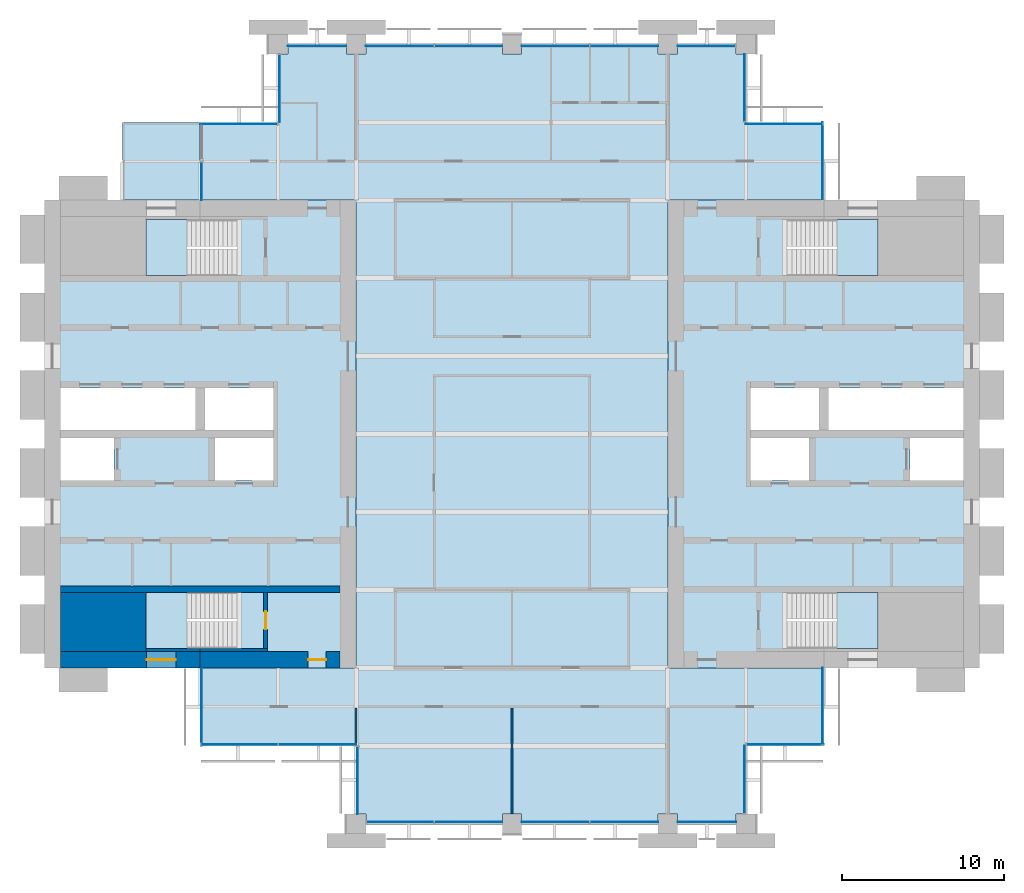
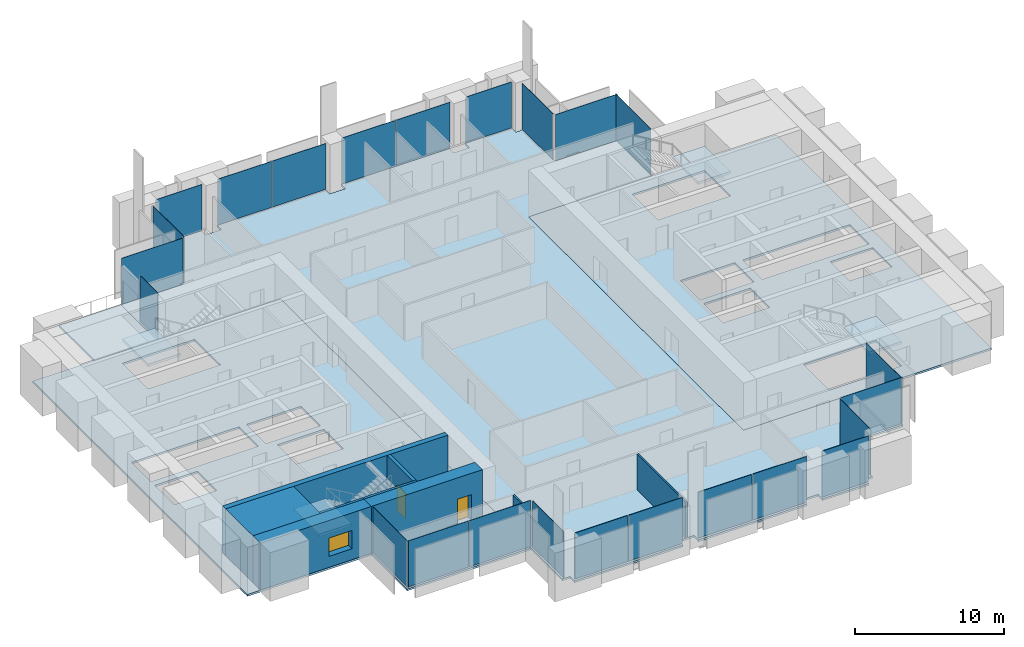
# One storey, part 8 of 14: 24 plates, 9 walls, 8 slabs, 2 doors, 1 window, 3 openings, 18 elements without a shape of their own.
"""IFC4 building model written with IfcOpenShell, lengths in metres."""

from ifc_helpers import new_model, si_unit, direction, frame, frame_2d, origin, origin_2d, place, context, subcontext, project, spatial, polyline, rectangle, outline, extrude, material, layer, layer_set, type_object, element, fill, aggregate, save


model = new_model("IFC4")

# Units and contexts
model_context = context("Model", 3, precision=1e-05, world=origin(), true_north=direction((0.0, 1.0)))
body_context = subcontext(model_context, "Body", "Model", "MODEL_VIEW")
ifc_project = project(units=[si_unit("LENGTHUNIT", "METRE"), si_unit("AREAUNIT", "SQUARE_METRE"), si_unit("VOLUMEUNIT", "CUBIC_METRE"), si_unit("PLANEANGLEUNIT", "RADIAN"), si_unit("MASSUNIT", "GRAM", prefix="KILO")], contexts=[model_context])

# Site, building, storey
site_placement = place(None, origin())
site = spatial("IfcSite", under=ifc_project, at=site_placement, CompositionType="ELEMENT")
building_placement = place(site_placement, origin())
building = spatial("IfcBuilding", under=site, at=building_placement, Name="Baori Bourse Tower", CompositionType="ELEMENT")
storey_placement = place(building_placement, frame((0.0, 0.0, 168.10009765625)))
storey = spatial("IfcBuildingStorey", under=building, at=storey_placement, Name="L37", CompositionType="ELEMENT", Elevation=168.10009765625)

# Curtain wall, plates
ifc_material_1 = material(Name="Pale anodised aluminium", Category="aluminium")
curtain_wall_type_1 = type_object("IfcCurtainWallType", Name="CW1 Curtain wall", PredefinedType="NOTDEFINED", material=ifc_material_1)
curtain_wall_1_placement = place(storey_placement, origin())
curtain_wall_1 = element("IfcCurtainWall", 1, at=curtain_wall_1_placement, inside=storey, type_object=curtain_wall_type_1, Name="Curtain wall CW1 L37 4", PredefinedType="NOTDEFINED")
ifc_material_2 = material(Name="Clear glass", Category="glass")
ifc_layer_1 = layer(ifc_material_2, 0.033935546875)
ifc_layer_set_1 = layer_set([ifc_layer_1], Name="CW1 Curtain wall panel")
plate_type_1 = type_object("IfcPlateType", Name="CW1 Curtain wall panel", PredefinedType="CURTAIN_PANEL", material=ifc_layer_set_1)
plate_1_placement = place(storey_placement, frame((40.77001953125, 47.89990234375, 0.080078125), z_axis=(0.0, 0.0, 1.0), x_axis=(-1.0, 0.0, 0.0)))
plate_1 = element("IfcPlate", 2, at=plate_1_placement, type_object=plate_type_1, Name="Curtain wall CW1 panel", PredefinedType="CURTAIN_PANEL", context=body_context, shape_type="SweptSolid", body=[
    extrude(rectangle(XDim=3.5400390625, YDim=0.033935546875, at=origin_2d()), origin(), (0.0, 0.0, 1.0), 3.760009765625),
])
plate_2_placement = place(storey_placement, frame((35.715087890625, 47.89990234375, 0.080078125), z_axis=(0.0, 0.0, 1.0), x_axis=(-1.0, 0.0, 0.0)))
plate_2 = element("IfcPlate", 3, at=plate_2_placement, type_object=plate_type_1, Name="Curtain wall CW1 panel", PredefinedType="CURTAIN_PANEL", context=body_context, shape_type="SweptSolid", body=[
    extrude(rectangle(XDim=4.169921875, YDim=0.033935546875, at=origin_2d()), origin(), (0.0, 0.0, 1.0), 3.760009765625),
])
plate_3_placement = place(storey_placement, frame((31.485107421875, 47.89990234375, 0.080078125), z_axis=(0.0, 0.0, 1.0), x_axis=(-1.0, 0.0, 0.0)))
plate_3 = element("IfcPlate", 4, at=plate_3_placement, type_object=plate_type_1, Name="Curtain wall CW1 panel", PredefinedType="CURTAIN_PANEL", context=body_context, shape_type="SweptSolid", body=[
    extrude(rectangle(XDim=4.169921875, YDim=0.033935546875, at=origin_2d()), origin(), (0.0, 0.0, 1.0), 3.760009765625),
])
plate_4_placement = place(storey_placement, frame((26.114990234375, 47.89990234375, 0.080078125), z_axis=(0.0, 0.0, 1.0), x_axis=(-1.0, 0.0, 0.0)))
plate_4 = element("IfcPlate", 5, at=plate_4_placement, type_object=plate_type_1, Name="Curtain wall CW1 panel", PredefinedType="CURTAIN_PANEL", context=body_context, shape_type="SweptSolid", body=[
    extrude(rectangle(XDim=4.169921875, YDim=0.033935546875, at=origin_2d()), origin(), (0.0, 0.0, 1.0), 3.760009765625),
])
plate_5_placement = place(storey_placement, frame((21.885009765625, 47.89990234375, 0.080078125), z_axis=(0.0, 0.0, 1.0), x_axis=(-1.0, 0.0, 0.0)))
plate_5 = element("IfcPlate", 6, at=plate_5_placement, type_object=plate_type_1, Name="Curtain wall CW1 panel", PredefinedType="CURTAIN_PANEL", context=body_context, shape_type="SweptSolid", body=[
    extrude(rectangle(XDim=4.169921875, YDim=0.033935546875, at=origin_2d()), origin(), (0.0, 0.0, 1.0), 3.760009765625),
])
plate_6_placement = place(storey_placement, frame((16.800048828125, 47.89990234375, 0.080078125), z_axis=(0.0, 0.0, 1.0), x_axis=(-1.0, 0.0, 0.0)))
plate_6 = element("IfcPlate", 7, at=plate_6_placement, type_object=plate_type_1, Name="Curtain wall CW1 panel", PredefinedType="CURTAIN_PANEL", context=body_context, shape_type="SweptSolid", body=[
    extrude(rectangle(XDim=3.60009765625, YDim=0.033935546875, at=origin_2d()), origin(), (0.0, 0.0, 1.0), 3.760009765625),
])
aggregate(curtain_wall_1, [plate_1, plate_2, plate_3, plate_4, plate_5, plate_6])

curtain_wall_2_placement = place(storey_placement, origin())
curtain_wall_2 = element("IfcCurtainWall", 8, at=curtain_wall_2_placement, inside=storey, type_object=curtain_wall_type_1, Name="Curtain wall CW1 L37 11", PredefinedType="NOTDEFINED")
plate_7_placement = place(storey_placement, frame((21.9150390625, 0.10009765625, 0.080078125), z_axis=(0.0, 0.0, 1.0), x_axis=(1.0, 0.0, 0.0)))
plate_7 = element("IfcPlate", 9, at=plate_7_placement, type_object=plate_type_1, Name="Curtain wall CW1 panel", PredefinedType="CURTAIN_PANEL", context=body_context, shape_type="SweptSolid", body=[
    extrude(rectangle(XDim=4.110107421875, YDim=0.033935546875, at=origin_2d()), origin(), (0.0, 0.0, 1.0), 3.760009765625),
])
plate_8_placement = place(storey_placement, frame((26.114990234375, 0.10009765625, 0.080078125), z_axis=(0.0, 0.0, 1.0), x_axis=(1.0, 0.0, 0.0)))
plate_8 = element("IfcPlate", 10, at=plate_8_placement, type_object=plate_type_1, Name="Curtain wall CW1 panel", PredefinedType="CURTAIN_PANEL", context=body_context, shape_type="SweptSolid", body=[
    extrude(rectangle(XDim=4.169921875, YDim=0.033935546875, at=origin_2d()), origin(), (0.0, 0.0, 1.0), 3.760009765625),
])
plate_9_placement = place(storey_placement, frame((31.485107421875, 0.10009765625, 0.080078125), z_axis=(0.0, 0.0, 1.0), x_axis=(1.0, 0.0, 0.0)))
plate_9 = element("IfcPlate", 11, at=plate_9_placement, type_object=plate_type_1, Name="Curtain wall CW1 panel", PredefinedType="CURTAIN_PANEL", context=body_context, shape_type="SweptSolid", body=[
    extrude(rectangle(XDim=4.169921875, YDim=0.033935546875, at=origin_2d()), origin(), (0.0, 0.0, 1.0), 3.760009765625),
])
plate_10_placement = place(storey_placement, frame((35.715087890625, 0.10009765625, 0.080078125), z_axis=(0.0, 0.0, 1.0), x_axis=(1.0, 0.0, 0.0)))
plate_10 = element("IfcPlate", 12, at=plate_10_placement, type_object=plate_type_1, Name="Curtain wall CW1 panel", PredefinedType="CURTAIN_PANEL", context=body_context, shape_type="SweptSolid", body=[
    extrude(rectangle(XDim=4.169921875, YDim=0.033935546875, at=origin_2d()), origin(), (0.0, 0.0, 1.0), 3.760009765625),
])
plate_11_placement = place(storey_placement, frame((40.800048828125, 0.10009765625, 0.080078125), z_axis=(0.0, 0.0, 1.0), x_axis=(1.0, 0.0, 0.0)))
plate_11 = element("IfcPlate", 13, at=plate_11_placement, type_object=plate_type_1, Name="Curtain wall CW1 panel", PredefinedType="CURTAIN_PANEL", context=body_context, shape_type="SweptSolid", body=[
    extrude(rectangle(XDim=3.60009765625, YDim=0.033935546875, at=origin_2d()), origin(), (0.0, 0.0, 1.0), 3.760009765625),
])
aggregate(curtain_wall_2, [plate_7, plate_8, plate_9, plate_10, plate_11])

# Curtain wall, plate
ifc_material_3 = material(Name="Pale anodised aluminium", Category="aluminium")
curtain_wall_type_2 = type_object("IfcCurtainWallType", Name="CW2 Curtain wall", PredefinedType="NOTDEFINED", material=ifc_material_3)
curtain_wall_3_placement = place(storey_placement, origin())
curtain_wall_3 = element("IfcCurtainWall", 14, at=curtain_wall_3_placement, inside=storey, type_object=curtain_wall_type_2, Name="Curtain wall CW2 L37 1", PredefinedType="NOTDEFINED")
ifc_material_4 = material(Name="Clear glass", Category="glass")
ifc_layer_2 = layer(ifc_material_4, 0.030029296875)
ifc_layer_set_2 = layer_set([ifc_layer_2], Name="CW2 Curtain wall panel")
plate_type_2 = type_object("IfcPlateType", Name="CW2 Curtain wall panel", PredefinedType="CURTAIN_PANEL", material=ifc_layer_set_2)
plate_12_placement = place(storey_placement, frame((47.909912109375, 40.827392578125, 0.06982421875), z_axis=(0.0, 0.0, 1.0), x_axis=(0.0, 1.0, 0.0)))
plate_12 = element("IfcPlate", 15, at=plate_12_placement, type_object=plate_type_2, Name="Curtain wall CW2 panel", PredefinedType="CURTAIN_PANEL", context=body_context, shape_type="SweptSolid", body=[
    extrude(rectangle(XDim=4.7451171875, YDim=0.030029296875, at=origin_2d()), origin(), (0.0, 0.0, 1.0), 3.77001953125),
])
aggregate(curtain_wall_3, [plate_12])

curtain_wall_4_placement = place(storey_placement, origin())
curtain_wall_4 = element("IfcCurtainWall", 16, at=curtain_wall_4_placement, inside=storey, type_object=curtain_wall_type_2, Name="Curtain wall CW2 L37 2", PredefinedType="NOTDEFINED")
plate_13_placement = place(storey_placement, frame((45.572509765625, 43.110107421875, 0.06982421875), z_axis=(0.0, 0.0, 1.0), x_axis=(-1.0, 0.0, 0.0)))
plate_13 = element("IfcPlate", 17, at=plate_13_placement, type_object=plate_type_2, Name="Curtain wall CW2 panel", PredefinedType="CURTAIN_PANEL", context=body_context, shape_type="SweptSolid", body=[
    extrude(rectangle(XDim=4.7451171875, YDim=0.030029296875, at=origin_2d()), origin(), (0.0, 0.0, 1.0), 3.77001953125),
])
aggregate(curtain_wall_4, [plate_13])

curtain_wall_5_placement = place(storey_placement, origin())
curtain_wall_5 = element("IfcCurtainWall", 18, at=curtain_wall_5_placement, inside=storey, type_object=curtain_wall_type_2, Name="Curtain wall CW2 L37 3", PredefinedType="NOTDEFINED")
plate_14_placement = place(storey_placement, frame((43.110107421875, 45.327392578125, 0.06982421875), z_axis=(0.0, 0.0, 1.0), x_axis=(0.0, 1.0, 0.0)))
plate_14 = element("IfcPlate", 19, at=plate_14_placement, type_object=plate_type_2, Name="Curtain wall CW2 panel", PredefinedType="CURTAIN_PANEL", context=body_context, shape_type="SweptSolid", body=[
    extrude(rectangle(XDim=4.14501953125, YDim=0.030029296875, at=origin_2d()), origin(), (0.0, 0.0, 1.0), 3.77001953125),
])
aggregate(curtain_wall_5, [plate_14])

curtain_wall_6_placement = place(storey_placement, origin())
curtain_wall_6 = element("IfcCurtainWall", 20, at=curtain_wall_6_placement, inside=storey, type_object=curtain_wall_type_2, Name="Curtain wall CW2 L37 5", PredefinedType="NOTDEFINED")
plate_15_placement = place(storey_placement, frame((14.489990234375, 45.2724609375, 0.06982421875), z_axis=(0.0, 0.0, 1.0), x_axis=(0.0, -1.0, 0.0)))
plate_15 = element("IfcPlate", 21, at=plate_15_placement, type_object=plate_type_2, Name="Curtain wall CW2 panel", PredefinedType="CURTAIN_PANEL", context=body_context, shape_type="SweptSolid", body=[
    extrude(rectangle(XDim=4.14501953125, YDim=0.030029296875, at=origin_2d()), origin(), (0.0, 0.0, 1.0), 3.77001953125),
])
aggregate(curtain_wall_6, [plate_15])

curtain_wall_7_placement = place(storey_placement, origin())
curtain_wall_7 = element("IfcCurtainWall", 22, at=curtain_wall_7_placement, inside=storey, type_object=curtain_wall_type_2, Name="Curtain wall CW2 L37 6", PredefinedType="NOTDEFINED")
plate_16_placement = place(storey_placement, frame((11.972412109375, 43.110107421875, 0.06982421875), z_axis=(0.0, 0.0, 1.0), x_axis=(-1.0, 0.0, 0.0)))
plate_16 = element("IfcPlate", 23, at=plate_16_placement, type_object=plate_type_2, Name="Curtain wall CW2 panel", PredefinedType="CURTAIN_PANEL", context=body_context, shape_type="SweptSolid", body=[
    extrude(rectangle(XDim=4.7451171875, YDim=0.030029296875, at=origin_2d()), origin(), (0.0, 0.0, 1.0), 3.77001953125),
])
aggregate(curtain_wall_7, [plate_16])

curtain_wall_8_placement = place(storey_placement, origin())
curtain_wall_8 = element("IfcCurtainWall", 24, at=curtain_wall_8_placement, inside=storey, type_object=curtain_wall_type_2, Name="Curtain wall CW2 L37 7", PredefinedType="NOTDEFINED")
plate_17_placement = place(storey_placement, frame((9.68994140625, 39.572509765625, 0.06982421875), z_axis=(0.0, 0.0, 1.0), x_axis=(0.0, -1.0, 0.0)))
plate_17 = element("IfcPlate", 25, at=plate_17_placement, type_object=plate_type_2, Name="Curtain wall CW2 panel", PredefinedType="CURTAIN_PANEL", context=body_context, shape_type="SweptSolid", body=[
    extrude(rectangle(XDim=2.344970703125, YDim=0.030029296875, at=origin_2d()), origin(), (0.0, 0.0, 1.0), 3.77001953125),
])
aggregate(curtain_wall_8, [plate_17])

curtain_wall_9_placement = place(storey_placement, origin())
curtain_wall_9 = element("IfcCurtainWall", 26, at=curtain_wall_9_placement, inside=storey, type_object=curtain_wall_type_2, Name="Curtain wall CW2 L37 8", PredefinedType="NOTDEFINED")
plate_18_placement = place(storey_placement, frame((9.68994140625, 7.172607421875, 0.06982421875), z_axis=(0.0, 0.0, 1.0), x_axis=(0.0, -1.0, 0.0)))
plate_18 = element("IfcPlate", 27, at=plate_18_placement, type_object=plate_type_2, Name="Curtain wall CW2 panel", PredefinedType="CURTAIN_PANEL", context=body_context, shape_type="SweptSolid", body=[
    extrude(rectangle(XDim=4.7451171875, YDim=0.030029296875, at=origin_2d()), origin(), (0.0, 0.0, 1.0), 3.77001953125),
])
aggregate(curtain_wall_9, [plate_18])

# Curtain wall, plates
curtain_wall_10_placement = place(storey_placement, origin())
curtain_wall_10 = element("IfcCurtainWall", 28, at=curtain_wall_10_placement, inside=storey, type_object=curtain_wall_type_2, Name="Curtain wall CW2 L37 9", PredefinedType="NOTDEFINED")
plate_19_placement = place(storey_placement, frame((12.013671875, 4.889892578125, 0.06982421875), z_axis=(0.0, 0.0, 1.0), x_axis=(1.0, 0.0, 0.0)))
plate_19 = element("IfcPlate", 29, at=plate_19_placement, type_object=plate_type_2, Name="Curtain wall CW2 panel", PredefinedType="CURTAIN_PANEL", context=body_context, shape_type="SweptSolid", body=[
    extrude(rectangle(XDim=4.717529296875, YDim=0.030029296875, at=origin_2d()), origin(), (0.0, 0.0, 1.0), 3.77001953125),
])
plate_20_placement = place(storey_placement, frame((16.813720703125, 4.889892578125, 0.06982421875), z_axis=(0.0, 0.0, 1.0), x_axis=(1.0, 0.0, 0.0)))
plate_20 = element("IfcPlate", 30, at=plate_20_placement, type_object=plate_type_2, Name="Curtain wall CW2 panel", PredefinedType="CURTAIN_PANEL", context=body_context, shape_type="SweptSolid", body=[
    extrude(rectangle(XDim=4.7724609375, YDim=0.030029296875, at=origin_2d()), origin(), (0.0, 0.0, 1.0), 3.77001953125),
])
aggregate(curtain_wall_10, [plate_19, plate_20])

# Curtain wall, plate
curtain_wall_11_placement = place(storey_placement, origin())
curtain_wall_11 = element("IfcCurtainWall", 31, at=curtain_wall_11_placement, inside=storey, type_object=curtain_wall_type_2, Name="Curtain wall CW2 L37 10", PredefinedType="NOTDEFINED")
plate_21_placement = place(storey_placement, frame((19.2900390625, 2.672607421875, 0.06982421875), z_axis=(0.0, 0.0, 1.0), x_axis=(0.0, -1.0, 0.0)))
plate_21 = element("IfcPlate", 32, at=plate_21_placement, type_object=plate_type_2, Name="Curtain wall CW2 panel", PredefinedType="CURTAIN_PANEL", context=body_context, shape_type="SweptSolid", body=[
    extrude(rectangle(XDim=4.14501953125, YDim=0.030029296875, at=origin_2d()), origin(), (0.0, 0.0, 1.0), 3.77001953125),
])
aggregate(curtain_wall_11, [plate_21])

curtain_wall_12_placement = place(storey_placement, origin())
curtain_wall_12 = element("IfcCurtainWall", 33, at=curtain_wall_12_placement, inside=storey, type_object=curtain_wall_type_2, Name="Curtain wall CW2 L37 12", PredefinedType="NOTDEFINED")
plate_22_placement = place(storey_placement, frame((43.110107421875, 2.7275390625, 0.06982421875), z_axis=(0.0, 0.0, 1.0), x_axis=(0.0, 1.0, 0.0)))
plate_22 = element("IfcPlate", 34, at=plate_22_placement, type_object=plate_type_2, Name="Curtain wall CW2 panel", PredefinedType="CURTAIN_PANEL", context=body_context, shape_type="SweptSolid", body=[
    extrude(rectangle(XDim=4.14501953125, YDim=0.030029296875, at=origin_2d()), origin(), (0.0, 0.0, 1.0), 3.77001953125),
])
aggregate(curtain_wall_12, [plate_22])

curtain_wall_13_placement = place(storey_placement, origin())
curtain_wall_13 = element("IfcCurtainWall", 35, at=curtain_wall_13_placement, inside=storey, type_object=curtain_wall_type_2, Name="Curtain wall CW2 L37 13", PredefinedType="NOTDEFINED")
plate_23_placement = place(storey_placement, frame((45.62744140625, 4.889892578125, 0.06982421875), z_axis=(0.0, 0.0, 1.0), x_axis=(1.0, 0.0, 0.0)))
plate_23 = element("IfcPlate", 36, at=plate_23_placement, type_object=plate_type_2, Name="Curtain wall CW2 panel", PredefinedType="CURTAIN_PANEL", context=body_context, shape_type="SweptSolid", body=[
    extrude(rectangle(XDim=4.7451171875, YDim=0.030029296875, at=origin_2d()), origin(), (0.0, 0.0, 1.0), 3.77001953125),
])
aggregate(curtain_wall_13, [plate_23])

curtain_wall_14_placement = place(storey_placement, origin())
curtain_wall_14 = element("IfcCurtainWall", 37, at=curtain_wall_14_placement, inside=storey, type_object=curtain_wall_type_2, Name="Curtain wall CW2 L37 14", PredefinedType="NOTDEFINED")
plate_24_placement = place(storey_placement, frame((47.909912109375, 7.2275390625, 0.06982421875), z_axis=(0.0, 0.0, 1.0), x_axis=(0.0, 1.0, 0.0)))
plate_24 = element("IfcPlate", 38, at=plate_24_placement, type_object=plate_type_2, Name="Curtain wall CW2 panel", PredefinedType="CURTAIN_PANEL", context=body_context, shape_type="SweptSolid", body=[
    extrude(rectangle(XDim=4.7451171875, YDim=0.030029296875, at=origin_2d()), origin(), (0.0, 0.0, 1.0), 3.77001953125),
])
aggregate(curtain_wall_14, [plate_24])

# Slabs
ifc_material_5 = material(Name="Concrete f'c 50 MPa", Category="concrete")
ifc_layer_3 = layer(ifc_material_5, 0.159912109375)
ifc_layer_set_3 = layer_set([ifc_layer_3], Name="Core slab 160")
slab_type_1 = type_object("IfcSlabType", Name="Core slab 160", PredefinedType="FLOOR", material=ifc_layer_set_3)
slab_1_placement = place(storey_placement, frame((0.0, 0.0, -0.16015625)))
element("IfcSlab", 39, at=slab_1_placement, inside=storey, type_object=slab_type_1, Name="Core floor slab W01", PredefinedType="FLOOR", context=body_context, shape_type="SweptSolid", body=[
    extrude(outline(polyline([(0.0, 38.39990234375), (0.0, 9.60009765625), (19.199951171875, 9.60009765625), (19.199951171875, 38.39990234375), (0.0, 38.39990234375)]), holes=[polyline([(10.5, 21.14990234375), (10.5, 23.75), (14.10009765625, 23.75), (14.10009765625, 21.14990234375), (10.5, 21.14990234375)]), polyline([(14.10009765625, 24.25), (9.89990234375, 24.25), (9.89990234375, 26.85009765625), (14.10009765625, 26.85009765625), (14.10009765625, 24.25)]), polyline([(6.25, 14.25), (11.84912109375, 14.25), (11.84912109375, 10.800048828125), (6.25, 10.800048828125), (6.25, 14.25)]), polyline([(11.84912109375, 37.199951171875), (11.84912109375, 33.75), (6.25, 33.75), (6.25, 37.199951171875), (11.84912109375, 37.199951171875)]), polyline([(1.0, 26.85009765625), (9.300048828125, 26.85009765625), (9.300048828125, 24.25), (1.0, 24.25), (1.0, 26.85009765625)]), polyline([(4.300048828125, 23.75), (4.300048828125, 21.14990234375), (1.0, 21.14990234375), (1.0, 23.75), (4.300048828125, 23.75)])]), origin(), (0.0, 0.0, 1.0), 0.16015625),
])
slab_2_placement = place(storey_placement, frame((0.0, 0.0, -0.16015625)))
element("IfcSlab", 40, at=slab_2_placement, inside=storey, type_object=slab_type_1, Name="Core floor slab E01", PredefinedType="FLOOR", context=body_context, shape_type="SweptSolid", body=[
    extrude(outline(polyline([(57.60009765625, 38.39990234375), (38.39990234375, 38.39990234375), (38.39990234375, 9.60009765625), (57.60009765625, 9.60009765625), (57.60009765625, 38.39990234375)]), holes=[polyline([(56.60009765625, 21.14990234375), (53.300048828125, 21.14990234375), (53.300048828125, 23.75), (56.60009765625, 23.75), (56.60009765625, 21.14990234375)]), polyline([(56.60009765625, 26.85009765625), (56.60009765625, 24.25), (48.300048828125, 24.25), (48.300048828125, 26.85009765625), (56.60009765625, 26.85009765625)]), polyline([(45.750732421875, 14.25), (51.35009765625, 14.25), (51.35009765625, 10.800048828125), (45.750732421875, 10.800048828125), (45.750732421875, 14.25)]), polyline([(51.35009765625, 37.199951171875), (51.35009765625, 33.75), (45.750732421875, 33.75), (45.750732421875, 37.199951171875), (51.35009765625, 37.199951171875)]), polyline([(43.5, 24.25), (43.5, 26.85009765625), (47.699951171875, 26.85009765625), (47.699951171875, 24.25), (43.5, 24.25)]), polyline([(43.5, 23.75), (47.10009765625, 23.75), (47.10009765625, 21.14990234375), (43.5, 21.14990234375), (43.5, 23.75)])]), origin(), (0.0, 0.0, 1.0), 0.16015625),
])

# Stair, slab
ifc_material_6 = material(Name="Concrete f'c 50 MPa", Category="concrete")
stair_type = type_object("IfcStairType", Name="Core stair", PredefinedType="HALF_TURN_STAIR", material=ifc_material_6)
stair_1_placement = place(storey_placement, origin())
stair_1 = element("IfcStair", 41, at=stair_1_placement, inside=storey, type_object=stair_type, Name="L37 Stair WA", PredefinedType="HALF_TURN_STAIR")
ifc_material_7 = material(Name="Concrete f'c 50 MPa", Category="concrete")
slab_type_2 = type_object("IfcSlabType", Name="Core stair landing", PredefinedType="LANDING", material=ifc_material_7)
slab_3_placement = place(storey_placement, frame((0.0, 0.0, 1.7998046875)))
slab_3 = element("IfcSlab", 42, at=slab_3_placement, type_object=slab_type_2, Name="ST1 landing 1", PredefinedType="LANDING", context=body_context, shape_type="SweptSolid", body=[
    extrude(outline(polyline([(8.77001953125, 14.25), (6.25, 14.25), (6.25, 10.800048828125), (8.77001953125, 10.800048828125), (8.77001953125, 14.25)])), origin(), (0.0, 0.0, 1.0), 0.2001953125),
])
aggregate(stair_1, [slab_3])

stair_2_placement = place(storey_placement, origin())
stair_2 = element("IfcStair", 43, at=stair_2_placement, inside=storey, type_object=stair_type, Name="L37 Stair WB", PredefinedType="HALF_TURN_STAIR")
slab_4_placement = place(storey_placement, frame((0.0, 0.0, 1.7998046875)))
slab_4 = element("IfcSlab", 44, at=slab_4_placement, type_object=slab_type_2, Name="ST2 landing 1", PredefinedType="LANDING", context=body_context, shape_type="SweptSolid", body=[
    extrude(outline(polyline([(8.77001953125, 37.199951171875), (6.25, 37.199951171875), (6.25, 33.75), (8.77001953125, 33.75), (8.77001953125, 37.199951171875)])), origin(), (0.0, 0.0, 1.0), 0.2001953125),
])
aggregate(stair_2, [slab_4])

stair_3_placement = place(storey_placement, origin())
stair_3 = element("IfcStair", 45, at=stair_3_placement, inside=storey, type_object=stair_type, Name="L37 Stair EA", PredefinedType="HALF_TURN_STAIR")
slab_5_placement = place(storey_placement, frame((0.0, 0.0, 1.7998046875)))
slab_5 = element("IfcSlab", 46, at=slab_5_placement, type_object=slab_type_2, Name="ST3 landing 1", PredefinedType="LANDING", context=body_context, shape_type="SweptSolid", body=[
    extrude(outline(polyline([(48.830078125, 10.800048828125), (51.35009765625, 10.800048828125), (51.35009765625, 14.25), (48.830078125, 14.25), (48.830078125, 10.800048828125)])), origin(), (0.0, 0.0, 1.0), 0.2001953125),
])
aggregate(stair_3, [slab_5])

stair_4_placement = place(storey_placement, origin())
stair_4 = element("IfcStair", 47, at=stair_4_placement, inside=storey, type_object=stair_type, Name="L37 Stair EB", PredefinedType="HALF_TURN_STAIR")
slab_6_placement = place(storey_placement, frame((0.0, 0.0, 1.7998046875)))
slab_6 = element("IfcSlab", 48, at=slab_6_placement, type_object=slab_type_2, Name="ST4 landing 1", PredefinedType="LANDING", context=body_context, shape_type="SweptSolid", body=[
    extrude(outline(polyline([(48.830078125, 33.75), (51.35009765625, 33.75), (51.35009765625, 37.199951171875), (48.830078125, 37.199951171875), (48.830078125, 33.75)])), origin(), (0.0, 0.0, 1.0), 0.2001953125),
])
aggregate(stair_4, [slab_6])

# Slabs
ifc_material_8 = material(Name="Concrete f'c 40 MPa", Category="concrete")
ifc_layer_4 = layer(ifc_material_8, 0.159912109375)
ifc_layer_set_4 = layer_set([ifc_layer_4], Name="Floor slab 160")
slab_type_3 = type_object("IfcSlabType", Name="Floor slab 160", PredefinedType="FLOOR", material=ifc_layer_set_4)
slab_7_placement = place(storey_placement, frame((0.0, 0.0, -0.16015625)))
element("IfcSlab", 49, at=slab_7_placement, inside=storey, type_object=slab_type_3, Name="Floor slab L37", PredefinedType="FLOOR", context=body_context, shape_type="SweptSolid", body=[
    extrude(outline(polyline([(19.199951171875, 4.800048828125), (9.60009765625, 4.800048828125), (9.60009765625, 9.60009765625), (19.199951171875, 9.60009765625), (19.199951171875, 38.39990234375), (9.60009765625, 38.39990234375), (9.60009765625, 43.199951171875), (14.39990234375, 43.199951171875), (14.39990234375, 47.39990234375), (15.0, 47.39990234375), (15.0, 48.0), (18.60009765625, 48.0), (18.60009765625, 47.39990234375), (19.800048828125, 47.39990234375), (19.800048828125, 48.0), (28.199951171875, 48.0), (28.199951171875, 47.39990234375), (29.39990234375, 47.39990234375), (29.39990234375, 48.0), (37.800048828125, 48.0), (37.800048828125, 47.39990234375), (39.0, 47.39990234375), (39.0, 48.0), (42.60009765625, 48.0), (42.60009765625, 47.39990234375), (43.199951171875, 47.39990234375), (43.199951171875, 43.199951171875), (48.0, 43.199951171875), (48.0, 38.39990234375), (38.39990234375, 38.39990234375), (38.39990234375, 9.60009765625), (48.0, 9.60009765625), (48.0, 4.800048828125), (43.199951171875, 4.800048828125), (43.199951171875, 0.60009765625), (42.60009765625, 0.60009765625), (42.60009765625, 0.0), (39.0, 0.0), (39.0, 0.60009765625), (37.800048828125, 0.60009765625), (37.800048828125, 0.0), (29.39990234375, 0.0), (29.39990234375, 0.60009765625), (28.199951171875, 0.60009765625), (28.199951171875, 0.0), (19.800048828125, 0.0), (19.800048828125, 0.60009765625), (19.199951171875, 0.60009765625), (19.199951171875, 4.800048828125)])), origin(), (0.0, 0.0, 1.0), 0.16015625),
])
ifc_material_9 = material(Name="Concrete f'c 40 MPa", Category="concrete")
ifc_layer_5 = layer(ifc_material_9, 0.159912109375)
ifc_layer_set_5 = layer_set([ifc_layer_5], Name="Terrace slab 160")
slab_type_4 = type_object("IfcSlabType", Name="Terrace slab 160", PredefinedType="ROOF", material=ifc_layer_set_5)
slab_8_placement = place(storey_placement, frame((0.0, 0.0, -0.16015625)))
element("IfcSlab", 50, at=slab_8_placement, inside=storey, type_object=slab_type_4, Name="Terrace slab NW L37", PredefinedType="ROOF", context=body_context, shape_type="SweptSolid", body=[
    extrude(outline(polyline([(4.802978515625, 38.403076171875), (4.802978515625, 43.197021484375), (9.596923828125, 43.197021484375), (9.596923828125, 38.403076171875), (4.802978515625, 38.403076171875)])), origin(), (0.0, 0.0, 1.0), 0.16015625),
])

# Wall
ifc_material_10 = material(Name="Concrete f'c 60 MPa", Category="concrete")
wall_type_1 = type_object("IfcWallType", Name="Core corner block f'c 60", PredefinedType="SHEAR", material=ifc_material_10)
wall_1_placement = place(storey_placement, frame((1.0, 12.425048828125, 0.0), z_axis=(0.0, 0.0, 1.0), x_axis=(1.0, 0.0, 0.0)))
element("IfcWall", 51, at=wall_1_placement, inside=storey, type_object=wall_type_1, Name="Core wall W05", PredefinedType="SHEAR", context=body_context, shape_type="SweptSolid", body=[
    extrude(rectangle(XDim=5.25, YDim=3.64990234375, at=frame_2d((2.625, 0.0))), origin(), (0.0, 0.0, 1.0), 3.83984375),
])

# Wall, opening, window
ifc_material_11 = material(Name="Concrete f'c 60 MPa", Category="concrete")
ifc_layer_6 = layer(ifc_material_11, 1.0)
ifc_layer_set_6 = layer_set([ifc_layer_6], Name="Core wall 1000 f'c 60")
wall_type_2 = type_object("IfcWallType", Name="Core wall 1000 f'c 60", PredefinedType="SHEAR", material=ifc_layer_set_6)
wall_2_placement = place(storey_placement, frame((9.60009765625, 10.10009765625, 0.0), z_axis=(0.0, 0.0, 1.0), x_axis=(-1.0, 0.0, 0.0)))
wall_2 = element("IfcWall", 52, at=wall_2_placement, inside=storey, type_object=wall_type_2, Name="Core wall W02", PredefinedType="SHEAR", context=body_context, shape_type="SweptSolid", body=[
    extrude(rectangle(XDim=8.60009765625, YDim=1.0, at=frame_2d((4.300048828125, 0.0))), origin(), (0.0, 0.0, 1.0), 3.83984375),
])
opening_1_placement = place(wall_2_placement, frame((1.5, 0.0, 0.89990234375)))
opening_1 = element("IfcOpeningElement", 53, at=opening_1_placement, cuts=wall_2, Name="Opening L37-KW103", PredefinedType="OPENING", context=body_context, shape_type="SweptSolid", body=[
    extrude(rectangle(XDim=1.800048828125, YDim=1.5, at=frame_2d((0.89990234375, 0.75))), frame((0.0, 0.510009765625, 0.0), z_axis=(0.0, -1.0, 0.0), x_axis=(1.0, 0.0, 0.0)), (0.0, 0.0, 1.0), 1.02001953125),
])
ifc_material_12 = material(Name="Pale anodised aluminium", Category="aluminium")
window_type = type_object("IfcWindowType", Name="Stair window 1800 x 1500", PartitioningType="SINGLE_PANEL", PredefinedType="WINDOW", material=ifc_material_12)
window_placement = place(opening_1_placement, origin())
window = element("IfcWindow", 54, at=window_placement, inside=storey, type_object=window_type, Name="Stair window W L37 3", OverallHeight=1.5, OverallWidth=1.800048828125, PartitioningType="SINGLE_PANEL", PredefinedType="WINDOW", context=body_context, shape_type="SweptSolid", body=[
    extrude(rectangle(XDim=1.800048828125, YDim=1.5, at=frame_2d((0.89990234375, 0.75))), frame((0.0, 0.030029296875, 0.0), z_axis=(0.0, -1.0, 0.0), x_axis=(1.0, 0.0, 0.0)), (0.0, 0.0, 1.0), 0.06005859375),
])
fill(opening_1, window)

# Wall, opening, door
wall_3_placement = place(storey_placement, frame((18.199951171875, 10.10009765625, 0.0), z_axis=(0.0, 0.0, 1.0), x_axis=(-1.0, 0.0, 0.0)))
wall_3 = element("IfcWall", 55, at=wall_3_placement, inside=storey, type_object=wall_type_2, Name="Core wall W03", PredefinedType="SHEAR", context=body_context, shape_type="SweptSolid", body=[
    extrude(rectangle(XDim=8.599853515625, YDim=1.0, at=frame_2d((4.2998046875, 0.0))), origin(), (0.0, 0.0, 1.0), 3.83984375),
])
opening_2_placement = place(wall_3_placement, frame((0.85009765625, 0.0, 0.0)))
opening_2 = element("IfcOpeningElement", 56, at=opening_2_placement, cuts=wall_3, Name="Opening L37-D102", PredefinedType="OPENING", context=body_context, shape_type="SweptSolid", body=[
    extrude(rectangle(XDim=1.10009765625, YDim=2.10009765625, at=frame_2d((0.550048828125, 1.050048828125))), frame((0.0, 0.510009765625, 0.0), z_axis=(0.0, -1.0, 0.0), x_axis=(1.0, 0.0, 0.0)), (0.0, 0.0, 1.0), 1.02001953125),
])
ifc_material_13 = material(Name="Painted steel door", Category="steel")
door_type = type_object("IfcDoorType", Name="Stair door 1100", OperationType="SINGLE_SWING_LEFT", PredefinedType="DOOR", material=ifc_material_13)
door_1_placement = place(opening_2_placement, origin())
door_1 = element("IfcDoor", 57, at=door_1_placement, inside=storey, type_object=door_type, Name="Stair vestibule door A W L37", OperationType="SINGLE_SWING_LEFT", OverallHeight=2.10009765625, OverallWidth=1.10009765625, PredefinedType="DOOR", context=body_context, shape_type="SweptSolid", body=[
    extrude(rectangle(XDim=1.10009765625, YDim=2.10009765625, at=frame_2d((0.550048828125, 1.050048828125))), frame((0.0, 0.02490234375, 0.0), z_axis=(0.0, -1.0, 0.0), x_axis=(1.0, 0.0, 0.0)), (0.0, 0.0, 1.0), 0.050048828125),
])
fill(opening_2, door_1)

# Walls
ifc_material_14 = material(Name="Gypsum board partition")
ifc_layer_7 = layer(ifc_material_14, 0.125)
ifc_layer_set_7 = layer_set([ifc_layer_7], Name="Partition 125")
wall_type_3 = type_object("IfcWallType", Name="Partition 125", PredefinedType="PARTITIONING", material=ifc_layer_set_7)
wall_4_placement = place(storey_placement, frame((19.199951171875, 4.89990234375, 0.0), z_axis=(0.0, 0.0, 1.0), x_axis=(0.0, 1.0, 0.0)))
element("IfcWall", 58, at=wall_4_placement, inside=storey, type_object=wall_type_3, Name="Partition", PredefinedType="PARTITIONING", context=body_context, shape_type="SweptSolid", body=[
    extrude(rectangle(XDim=2.22509765625, YDim=0.125, at=frame_2d((1.112548828125, 0.0))), origin(), (0.0, 0.0, 1.0), 2.935546875),
])
wall_5_placement = place(storey_placement, frame((28.800048828125, 0.60009765625, 0.0), z_axis=(0.0, 0.0, 1.0), x_axis=(0.0, 1.0, 0.0)))
element("IfcWall", 59, at=wall_5_placement, inside=storey, type_object=wall_type_3, Name="Partition", PredefinedType="PARTITIONING", context=body_context, shape_type="SweptSolid", body=[
    extrude(rectangle(XDim=6.52490234375, YDim=0.125, at=frame_2d((3.262451171875, 0.0))), origin(), (0.0, 0.0, 1.0), 2.935546875),
])
ifc_material_15 = material(Name="Concrete f'c 60 MPa", Category="concrete")
ifc_layer_8 = layer(ifc_material_15, 0.199951171875)
ifc_layer_set_8 = layer_set([ifc_layer_8], Name="Shaft wall 200 f'c 60")
wall_type_4 = type_object("IfcWallType", Name="Shaft wall 200 f'c 60", PredefinedType="SHEAR", material=ifc_layer_set_8)
wall_6_placement = place(storey_placement, frame((6.25, 10.699951171875, 0.0), z_axis=(0.0, 0.0, 1.0), x_axis=(1.0, 0.0, 0.0)))
element("IfcWall", 60, at=wall_6_placement, inside=storey, type_object=wall_type_4, Name="Core wall W06", PredefinedType="SHEAR", context=body_context, shape_type="SweptSolid", body=[
    extrude(rectangle(XDim=3.35009765625, YDim=0.199951171875, at=frame_2d((1.675048828125, 0.0))), origin(), (0.0, 0.0, 1.0), 3.83984375),
])
wall_7_placement = place(storey_placement, frame((9.60009765625, 10.699951171875, 0.0), z_axis=(0.0, 0.0, 1.0), x_axis=(1.0, 0.0, 0.0)))
element("IfcWall", 61, at=wall_7_placement, inside=storey, type_object=wall_type_4, Name="Core wall W07", PredefinedType="SHEAR", context=body_context, shape_type="SweptSolid", body=[
    extrude(rectangle(XDim=4.14990234375, YDim=0.199951171875, at=frame_2d((2.074951171875, 0.0))), origin(), (0.0, 0.0, 1.0), 3.83984375),
])

# Wall, opening, door
ifc_material_16 = material(Name="Concrete f'c 60 MPa", Category="concrete")
ifc_layer_9 = layer(ifc_material_16, 0.25)
ifc_layer_set_9 = layer_set([ifc_layer_9], Name="Shaft wall 250 f'c 60")
wall_type_5 = type_object("IfcWallType", Name="Shaft wall 250 f'c 60", PredefinedType="SHEAR", material=ifc_layer_set_9)
wall_8_placement = place(storey_placement, frame((13.625, 10.800048828125, 0.0), z_axis=(0.0, 0.0, 1.0), x_axis=(0.0, 1.0, 0.0)))
wall_8 = element("IfcWall", 62, at=wall_8_placement, inside=storey, type_object=wall_type_5, Name="Core wall W08", PredefinedType="SHEAR", context=body_context, shape_type="SweptSolid", body=[
    extrude(rectangle(XDim=3.449951171875, YDim=0.25, at=frame_2d((1.72509765625, 0.0))), origin(), (0.0, 0.0, 1.0), 3.83984375),
])
opening_3_placement = place(wall_8_placement, frame((1.175048828125, 0.0, 0.0)))
opening_3 = element("IfcOpeningElement", 63, at=opening_3_placement, cuts=wall_8, Name="Opening L37-D101", PredefinedType="OPENING", context=body_context, shape_type="SweptSolid", body=[
    extrude(rectangle(XDim=1.10009765625, YDim=2.10009765625, at=frame_2d((0.550048828125, 1.050048828125))), frame((0.0, 0.135009765625, 0.0), z_axis=(0.0, -1.0, 0.0), x_axis=(1.0, 0.0, 0.0)), (0.0, 0.0, 1.0), 0.27001953125),
])
door_2_placement = place(opening_3_placement, origin())
door_2 = element("IfcDoor", 64, at=door_2_placement, inside=storey, type_object=door_type, Name="Stair door A W L37", OperationType="SINGLE_SWING_LEFT", OverallHeight=2.10009765625, OverallWidth=1.10009765625, PredefinedType="DOOR", context=body_context, shape_type="SweptSolid", body=[
    extrude(rectangle(XDim=1.10009765625, YDim=2.10009765625, at=frame_2d((0.550048828125, 1.050048828125))), frame((0.0, 0.02490234375, 0.0), z_axis=(0.0, -1.0, 0.0), x_axis=(1.0, 0.0, 0.0)), (0.0, 0.0, 1.0), 0.050048828125),
])
fill(opening_3, door_2)

# Wall
ifc_material_17 = material(Name="Concrete f'c 60 MPa", Category="concrete")
ifc_layer_10 = layer(ifc_material_17, 0.39990234375)
ifc_layer_set_10 = layer_set([ifc_layer_10], Name="Shaft wall 400 f'c 60")
wall_type_6 = type_object("IfcWallType", Name="Shaft wall 400 f'c 60", PredefinedType="SHEAR", material=ifc_layer_set_10)
wall_9_placement = place(storey_placement, frame((1.0, 14.449951171875, 0.0), z_axis=(0.0, 0.0, 1.0), x_axis=(1.0, 0.0, 0.0)))
element("IfcWall", 65, at=wall_9_placement, inside=storey, type_object=wall_type_6, Name="Core wall W09", PredefinedType="SHEAR", context=body_context, shape_type="SweptSolid", body=[
    extrude(rectangle(XDim=17.199951171875, YDim=0.39990234375, at=frame_2d((8.60009765625, 0.0))), origin(), (0.0, 0.0, 1.0), 3.83984375),
])

save(model, "model.ifc")
